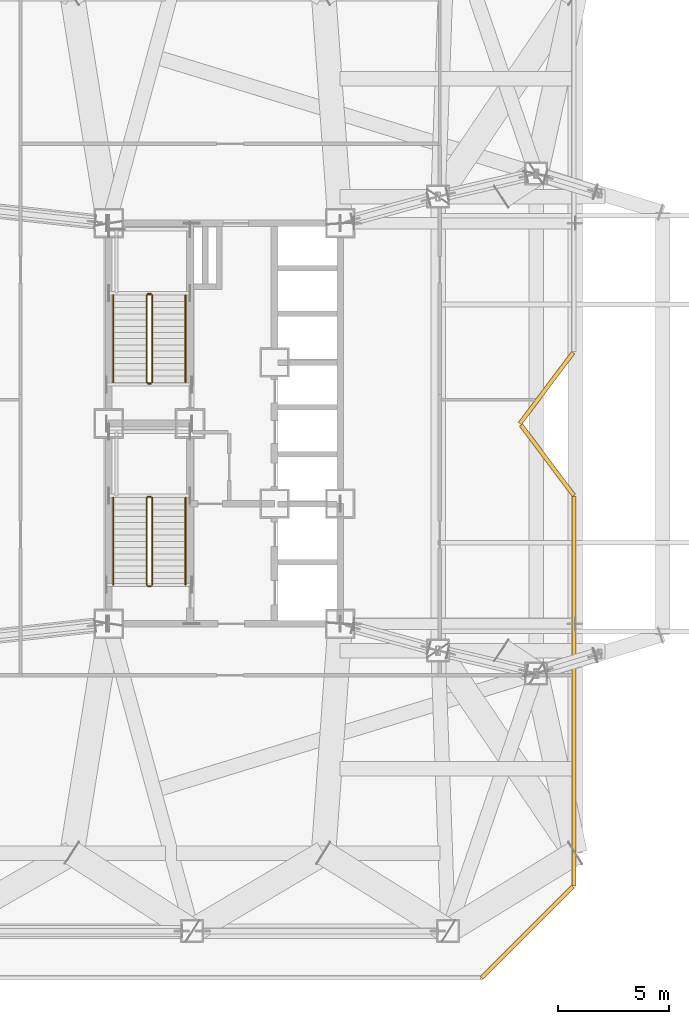
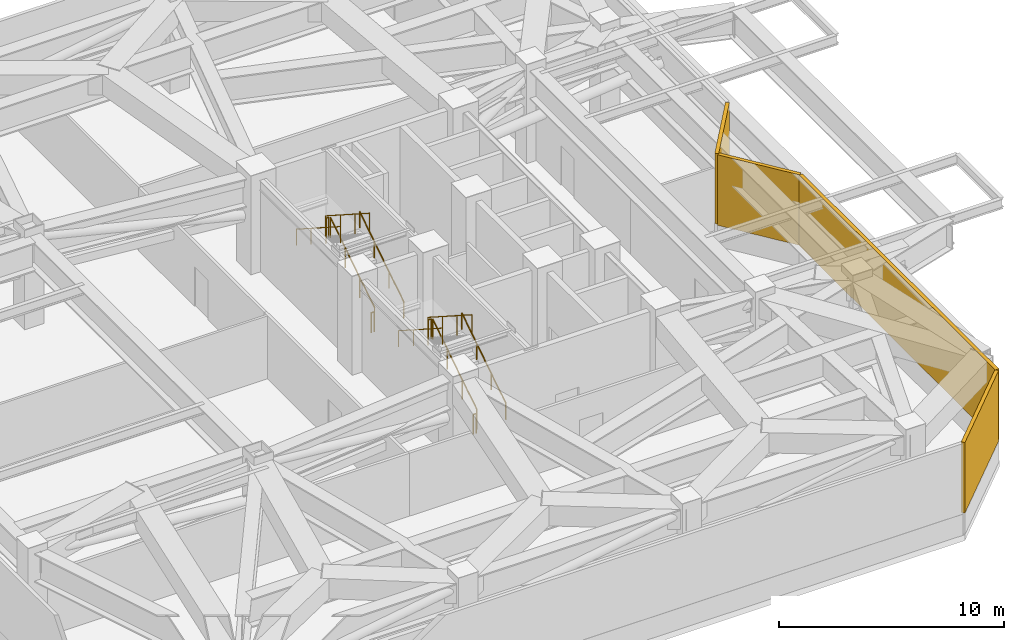
# One storey, part 17 of 18: 12 railings, 4 shading devices.
"""IFC4 building model written with IfcOpenShell, lengths in metres."""

from ifc_helpers import new_model, si_unit, direction, frame, origin, origin_2d, place, context, subcontext, project, spatial, rectangle, circle, extrude, material, type_object, element, save


model = new_model("IFC4")

# Units and contexts
model_context = context("Model", 3, precision=1e-05, world=origin(), true_north=direction((0.0, 1.0)))
body_context = subcontext(model_context, "Body", "Model", "MODEL_VIEW")
ifc_project = project(units=[si_unit("LENGTHUNIT", "METRE"), si_unit("AREAUNIT", "SQUARE_METRE"), si_unit("VOLUMEUNIT", "CUBIC_METRE"), si_unit("PLANEANGLEUNIT", "RADIAN"), si_unit("MASSUNIT", "GRAM", prefix="KILO")], contexts=[model_context])

# Site, building, storey
site_placement = place(None, origin())
site = spatial("IfcSite", under=ifc_project, at=site_placement, CompositionType="ELEMENT")
building_placement = place(site_placement, origin())
building = spatial("IfcBuilding", under=site, at=building_placement, Name="Khamvora Tower", CompositionType="ELEMENT")
storey_placement = place(building_placement, frame((0.0, 0.0, 84.39990234375)))
storey = spatial("IfcBuildingStorey", under=building, at=storey_placement, Name="L21", CompositionType="ELEMENT", Elevation=84.39990234375)

# Railings
ifc_material_1 = material(Name="Brushed Stainless Steel 316", Category="steel")
railing_type_1 = type_object("IfcRailingType", Name="RAL-HDR-920", PredefinedType="HANDRAIL", material=ifc_material_1)
railing_1_placement = place(storey_placement, frame((32.449951171875, 20.75, 0.18017578125)))
element("IfcRailing", 1, at=railing_1_placement, inside=storey, type_object=railing_type_1, Name="L21 ST-01 stair handrail 1", PredefinedType="HANDRAIL", context=body_context, shape_type="SweptSolid", body=[
    extrude(circle(Radius=0.02392578125, at=origin_2d()), frame((0.0, 0.0, 0.8759765625), z_axis=(0.0, 0.841171666519, 0.540768182723), x_axis=(-1.0, 0.0, 0.0)), (0.0, 0.0, 1.0), 4.66015625),
    extrude(circle(Radius=0.02099609375, at=origin_2d()), origin(), (0.0, 0.0, 1.0), 0.851806640625),
    extrude(circle(Radius=0.02099609375, at=origin_2d()), frame((0.0, 1.306640625, 0.840087890625)), (0.0, 0.0, 1.0), 0.851806640625),
    extrude(circle(Radius=0.02099609375, at=origin_2d()), frame((0.0, 2.61328125, 1.679931640625)), (0.0, 0.0, 1.0), 0.851806640625),
    extrude(circle(Radius=0.02099609375, at=origin_2d()), frame((0.0, 3.919921875, 2.52001953125)), (0.0, 0.0, 1.0), 0.851806640625),
])
railing_2_placement = place(storey_placement, frame((29.199951171875, 24.669921875, 2.880126953125)))
element("IfcRailing", 2, at=railing_2_placement, inside=storey, type_object=railing_type_1, Name="L21 ST-01 stair handrail 2", PredefinedType="HANDRAIL", context=body_context, shape_type="SweptSolid", body=[
    extrude(circle(Radius=0.02392578125, at=origin_2d()), frame((0.0, 0.0, 0.8759765625), z_axis=(0.0, -0.841171666519, 0.540768182723), x_axis=(1.0, 0.0, 0.0)), (0.0, 0.0, 1.0), 4.66015625),
    extrude(circle(Radius=0.02099609375, at=origin_2d()), origin(), (0.0, 0.0, 1.0), 0.851806640625),
    extrude(circle(Radius=0.02099609375, at=origin_2d()), frame((0.0, -1.306640625, 0.840087890625)), (0.0, 0.0, 1.0), 0.851806640625),
    extrude(circle(Radius=0.02099609375, at=origin_2d()), frame((0.0, -2.61328125, 1.679931640625)), (0.0, 0.0, 1.0), 0.851806640625),
    extrude(circle(Radius=0.02099609375, at=origin_2d()), frame((0.0, -3.919921875, 2.52001953125)), (0.0, 0.0, 1.0), 0.851806640625),
])
railing_3_placement = place(storey_placement, frame((32.449951171875, 29.85009765625, 0.18017578125)))
element("IfcRailing", 3, at=railing_3_placement, inside=storey, type_object=railing_type_1, Name="L21 ST-02 stair handrail 1", PredefinedType="HANDRAIL", context=body_context, shape_type="SweptSolid", body=[
    extrude(circle(Radius=0.02392578125, at=origin_2d()), frame((0.0, 0.0, 0.8759765625), z_axis=(0.0, 0.841171666519, 0.540768182723), x_axis=(-1.0, 0.0, 0.0)), (0.0, 0.0, 1.0), 4.66015625),
    extrude(circle(Radius=0.02099609375, at=origin_2d()), origin(), (0.0, 0.0, 1.0), 0.851806640625),
    extrude(circle(Radius=0.02099609375, at=origin_2d()), frame((0.0, 1.306640625, 0.840087890625)), (0.0, 0.0, 1.0), 0.851806640625),
    extrude(circle(Radius=0.02099609375, at=origin_2d()), frame((0.0, 2.61328125, 1.679931640625)), (0.0, 0.0, 1.0), 0.851806640625),
    extrude(circle(Radius=0.02099609375, at=origin_2d()), frame((0.0, 3.919921875, 2.52001953125)), (0.0, 0.0, 1.0), 0.851806640625),
])
railing_4_placement = place(storey_placement, frame((29.199951171875, 33.77001953125, 2.880126953125)))
element("IfcRailing", 4, at=railing_4_placement, inside=storey, type_object=railing_type_1, Name="L21 ST-02 stair handrail 2", PredefinedType="HANDRAIL", context=body_context, shape_type="SweptSolid", body=[
    extrude(circle(Radius=0.02392578125, at=origin_2d()), frame((0.0, 0.0, 0.8759765625), z_axis=(0.0, -0.841171666519, 0.540768182723), x_axis=(1.0, 0.0, 0.0)), (0.0, 0.0, 1.0), 4.66015625),
    extrude(circle(Radius=0.02099609375, at=origin_2d()), origin(), (0.0, 0.0, 1.0), 0.851806640625),
    extrude(circle(Radius=0.02099609375, at=origin_2d()), frame((0.0, -1.306640625, 0.840087890625)), (0.0, 0.0, 1.0), 0.851806640625),
    extrude(circle(Radius=0.02099609375, at=origin_2d()), frame((0.0, -2.61328125, 1.679931640625)), (0.0, 0.0, 1.0), 0.851806640625),
    extrude(circle(Radius=0.02099609375, at=origin_2d()), frame((0.0, -3.919921875, 2.52001953125)), (0.0, 0.0, 1.0), 0.851806640625),
])
ifc_material_2 = material(Name="Stainless Steel 316", Category="steel")
railing_type_2 = type_object("IfcRailingType", Name="RAL-STG-1100", PredefinedType="GUARDRAIL", material=ifc_material_2)
railing_5_placement = place(storey_placement, frame((30.949951171875, 20.75, 0.18017578125)))
element("IfcRailing", 5, at=railing_5_placement, inside=storey, type_object=railing_type_2, Name="L21 ST-01 stair guard 1", PredefinedType="GUARDRAIL", context=body_context, shape_type="SweptSolid", body=[
    extrude(circle(Radius=0.02392578125, at=origin_2d()), frame((0.0, 0.0, 1.076171875), z_axis=(0.0, 0.841171666519, 0.540768182723), x_axis=(-1.0, 0.0, 0.0)), (0.0, 0.0, 1.0), 4.66015625),
    extrude(circle(Radius=0.02099609375, at=origin_2d()), origin(), (0.0, 0.0, 1.0), 1.052001953125),
    extrude(circle(Radius=0.02099609375, at=origin_2d()), frame((0.0, 1.306640625, 0.840087890625)), (0.0, 0.0, 1.0), 1.052001953125),
    extrude(circle(Radius=0.02099609375, at=origin_2d()), frame((0.0, 2.61328125, 1.679931640625)), (0.0, 0.0, 1.0), 1.052001953125),
    extrude(circle(Radius=0.02099609375, at=origin_2d()), frame((0.0, 3.919921875, 2.52001953125)), (0.0, 0.0, 1.0), 1.052001953125),
])
railing_6_placement = place(storey_placement, frame((30.89990234375, 24.719970703125, 2.7001953125)))
element("IfcRailing", 6, at=railing_6_placement, inside=storey, type_object=railing_type_2, Name="L21 ST-01 stair guard 2", PredefinedType="GUARDRAIL", context=body_context, shape_type="SweptSolid", body=[
    extrude(circle(Radius=0.02392578125, at=origin_2d()), frame((0.0, 0.0, 1.076171875), z_axis=(-1.0, 0.0, 0.0), x_axis=(0.0, -1.0, 0.0)), (0.0, 0.0, 1.0), 0.14990234375),
    extrude(circle(Radius=0.02099609375, at=origin_2d()), origin(), (0.0, 0.0, 1.0), 1.052001953125),
    extrude(circle(Radius=0.02099609375, at=origin_2d()), frame((-0.14990234375, 0.0, 0.0)), (0.0, 0.0, 1.0), 1.052001953125),
])
railing_7_placement = place(storey_placement, frame((30.699951171875, 24.669921875, 2.880126953125)))
element("IfcRailing", 7, at=railing_7_placement, inside=storey, type_object=railing_type_2, Name="L21 ST-01 stair guard 3", PredefinedType="GUARDRAIL", context=body_context, shape_type="SweptSolid", body=[
    extrude(circle(Radius=0.02392578125, at=origin_2d()), frame((0.0, 0.0, 1.076171875), z_axis=(0.0, -0.841171666519, 0.540768182723), x_axis=(1.0, 0.0, 0.0)), (0.0, 0.0, 1.0), 4.66015625),
    extrude(circle(Radius=0.02099609375, at=origin_2d()), origin(), (0.0, 0.0, 1.0), 1.052001953125),
    extrude(circle(Radius=0.02099609375, at=origin_2d()), frame((0.0, -1.306640625, 0.840087890625)), (0.0, 0.0, 1.0), 1.052001953125),
    extrude(circle(Radius=0.02099609375, at=origin_2d()), frame((0.0, -2.61328125, 1.679931640625)), (0.0, 0.0, 1.0), 1.052001953125),
    extrude(circle(Radius=0.02099609375, at=origin_2d()), frame((0.0, -3.919921875, 2.52001953125)), (0.0, 0.0, 1.0), 1.052001953125),
])
railing_8_placement = place(storey_placement, frame((30.89990234375, 20.699951171875, 0.0)))
element("IfcRailing", 8, at=railing_8_placement, inside=storey, type_object=railing_type_2, Name="L21 ST-01 stair guard 4", PredefinedType="GUARDRAIL", context=body_context, shape_type="SweptSolid", body=[
    extrude(circle(Radius=0.02392578125, at=origin_2d()), frame((0.0, 0.0, 1.076171875), z_axis=(-1.0, 0.0, 0.0), x_axis=(0.0, -1.0, 0.0)), (0.0, 0.0, 1.0), 0.14990234375),
    extrude(circle(Radius=0.02099609375, at=origin_2d()), origin(), (0.0, 0.0, 1.0), 1.052001953125),
    extrude(circle(Radius=0.02099609375, at=origin_2d()), frame((-0.14990234375, 0.0, 0.0)), (0.0, 0.0, 1.0), 1.052001953125),
])
railing_9_placement = place(storey_placement, frame((30.949951171875, 29.85009765625, 0.18017578125)))
element("IfcRailing", 9, at=railing_9_placement, inside=storey, type_object=railing_type_2, Name="L21 ST-02 stair guard 1", PredefinedType="GUARDRAIL", context=body_context, shape_type="SweptSolid", body=[
    extrude(circle(Radius=0.02392578125, at=origin_2d()), frame((0.0, 0.0, 1.076171875), z_axis=(0.0, 0.841171666519, 0.540768182723), x_axis=(-1.0, 0.0, 0.0)), (0.0, 0.0, 1.0), 4.66015625),
    extrude(circle(Radius=0.02099609375, at=origin_2d()), origin(), (0.0, 0.0, 1.0), 1.052001953125),
    extrude(circle(Radius=0.02099609375, at=origin_2d()), frame((0.0, 1.306640625, 0.840087890625)), (0.0, 0.0, 1.0), 1.052001953125),
    extrude(circle(Radius=0.02099609375, at=origin_2d()), frame((0.0, 2.61328125, 1.679931640625)), (0.0, 0.0, 1.0), 1.052001953125),
    extrude(circle(Radius=0.02099609375, at=origin_2d()), frame((0.0, 3.919921875, 2.52001953125)), (0.0, 0.0, 1.0), 1.052001953125),
])
railing_10_placement = place(storey_placement, frame((30.89990234375, 33.820068359375, 2.7001953125)))
element("IfcRailing", 10, at=railing_10_placement, inside=storey, type_object=railing_type_2, Name="L21 ST-02 stair guard 2", PredefinedType="GUARDRAIL", context=body_context, shape_type="SweptSolid", body=[
    extrude(circle(Radius=0.02392578125, at=origin_2d()), frame((0.0, 0.0, 1.076171875), z_axis=(-1.0, 0.0, 0.0), x_axis=(0.0, -1.0, 0.0)), (0.0, 0.0, 1.0), 0.14990234375),
    extrude(circle(Radius=0.02099609375, at=origin_2d()), origin(), (0.0, 0.0, 1.0), 1.052001953125),
    extrude(circle(Radius=0.02099609375, at=origin_2d()), frame((-0.14990234375, 0.0, 0.0)), (0.0, 0.0, 1.0), 1.052001953125),
])
railing_11_placement = place(storey_placement, frame((30.699951171875, 33.77001953125, 2.880126953125)))
element("IfcRailing", 11, at=railing_11_placement, inside=storey, type_object=railing_type_2, Name="L21 ST-02 stair guard 3", PredefinedType="GUARDRAIL", context=body_context, shape_type="SweptSolid", body=[
    extrude(circle(Radius=0.02392578125, at=origin_2d()), frame((0.0, 0.0, 1.076171875), z_axis=(0.0, -0.841171666519, 0.540768182723), x_axis=(1.0, 0.0, 0.0)), (0.0, 0.0, 1.0), 4.66015625),
    extrude(circle(Radius=0.02099609375, at=origin_2d()), origin(), (0.0, 0.0, 1.0), 1.052001953125),
    extrude(circle(Radius=0.02099609375, at=origin_2d()), frame((0.0, -1.306640625, 0.840087890625)), (0.0, 0.0, 1.0), 1.052001953125),
    extrude(circle(Radius=0.02099609375, at=origin_2d()), frame((0.0, -2.61328125, 1.679931640625)), (0.0, 0.0, 1.0), 1.052001953125),
    extrude(circle(Radius=0.02099609375, at=origin_2d()), frame((0.0, -3.919921875, 2.52001953125)), (0.0, 0.0, 1.0), 1.052001953125),
])
railing_12_placement = place(storey_placement, frame((30.89990234375, 29.800048828125, 0.0)))
element("IfcRailing", 12, at=railing_12_placement, inside=storey, type_object=railing_type_2, Name="L21 ST-02 stair guard 4", PredefinedType="GUARDRAIL", context=body_context, shape_type="SweptSolid", body=[
    extrude(circle(Radius=0.02392578125, at=origin_2d()), frame((0.0, 0.0, 1.076171875), z_axis=(-1.0, 0.0, 0.0), x_axis=(0.0, -1.0, 0.0)), (0.0, 0.0, 1.0), 0.14990234375),
    extrude(circle(Radius=0.02099609375, at=origin_2d()), origin(), (0.0, 0.0, 1.0), 1.052001953125),
    extrude(circle(Radius=0.02099609375, at=origin_2d()), frame((-0.14990234375, 0.0, 0.0)), (0.0, 0.0, 1.0), 1.052001953125),
])

# Shading devices
ifc_material_3 = material(Name="Pale Anodised Aluminium 6063-T6", Category="aluminium")
shading_device_type = type_object("IfcShadingDeviceType", Name="SHD-LVR-150", PredefinedType="JALOUSIE", material=ifc_material_3)
shading_device_1_placement = place(storey_placement, frame((48.672119140625, 29.595947265625, 1.150146484375), z_axis=(0.0, 0.0, 1.0), x_axis=(-0.600039589506, -0.79997030634, 0.0)))
element("IfcShadingDevice", 13, at=shading_device_1_placement, inside=storey, type_object=shading_device_type, Name="L21 mechanical weather louvre 10.1", PredefinedType="JALOUSIE", context=body_context, shape_type="SweptSolid", body=[
    extrude(rectangle(XDim=3.989013671875, YDim=0.179931640625, at=origin_2d()), origin(), (0.0, 0.0, 1.0), 3.830078125),
])
shading_device_2_placement = place(storey_placement, frame((48.712890625, 26.34912109375, 1.150146484375), z_axis=(0.0, 0.0, 1.0), x_axis=(0.600039589506, -0.79997030634, 0.0)))
element("IfcShadingDevice", 14, at=shading_device_2_placement, inside=storey, type_object=shading_device_type, Name="L21 mechanical weather louvre 11.1", PredefinedType="JALOUSIE", context=body_context, shape_type="SweptSolid", body=[
    extrude(rectangle(XDim=3.955078125, YDim=0.179931640625, at=origin_2d()), origin(), (0.0, 0.0, 1.0), 3.830078125),
])
shading_device_3_placement = place(storey_placement, frame((49.89990234375, 15.97900390625, 1.150146484375), z_axis=(0.0, 0.0, 1.0), x_axis=(0.0, -1.0, 0.0)))
element("IfcShadingDevice", 15, at=shading_device_3_placement, inside=storey, type_object=shading_device_type, Name="L21 mechanical weather louvre 12.1", PredefinedType="JALOUSIE", context=body_context, shape_type="SweptSolid", body=[
    extrude(rectangle(XDim=17.47607421875, YDim=0.179931640625, at=origin_2d()), origin(), (0.0, 0.0, 1.0), 3.830078125),
])
shading_device_4_placement = place(storey_placement, frame((47.80810546875, 5.14892578125, 1.150146484375), z_axis=(0.0, 0.0, 1.0), x_axis=(-0.707106781187, -0.707106781187, 0.0)))
element("IfcShadingDevice", 16, at=shading_device_4_placement, inside=storey, type_object=shading_device_type, Name="L21 mechanical weather louvre 13.1", PredefinedType="JALOUSIE", context=body_context, shape_type="SweptSolid", body=[
    extrude(rectangle(XDim=5.794921875, YDim=0.179931640625, at=origin_2d()), origin(), (0.0, 0.0, 1.0), 3.830078125),
])

save(model, "model.ifc")
